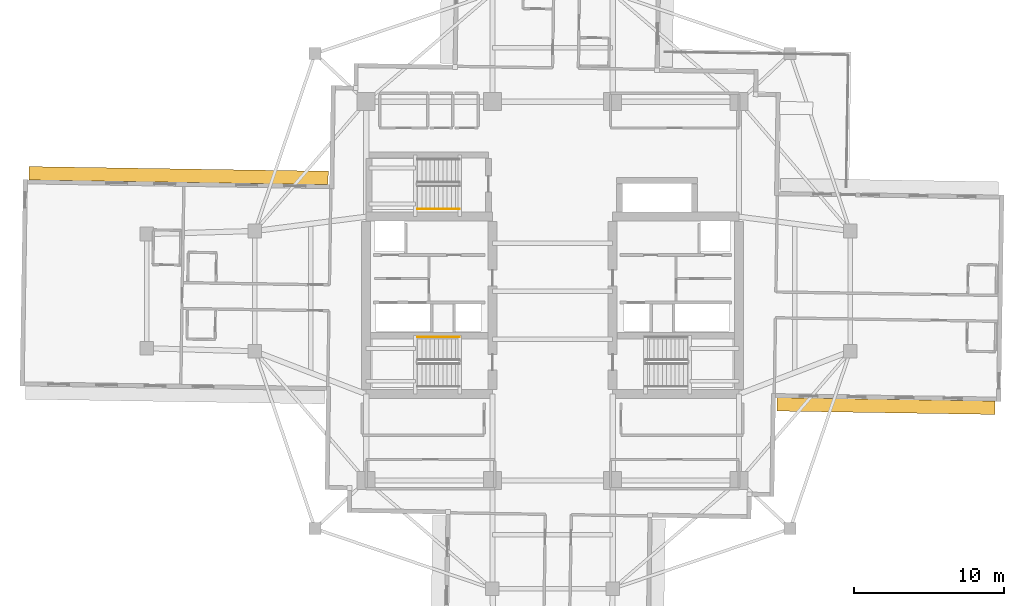
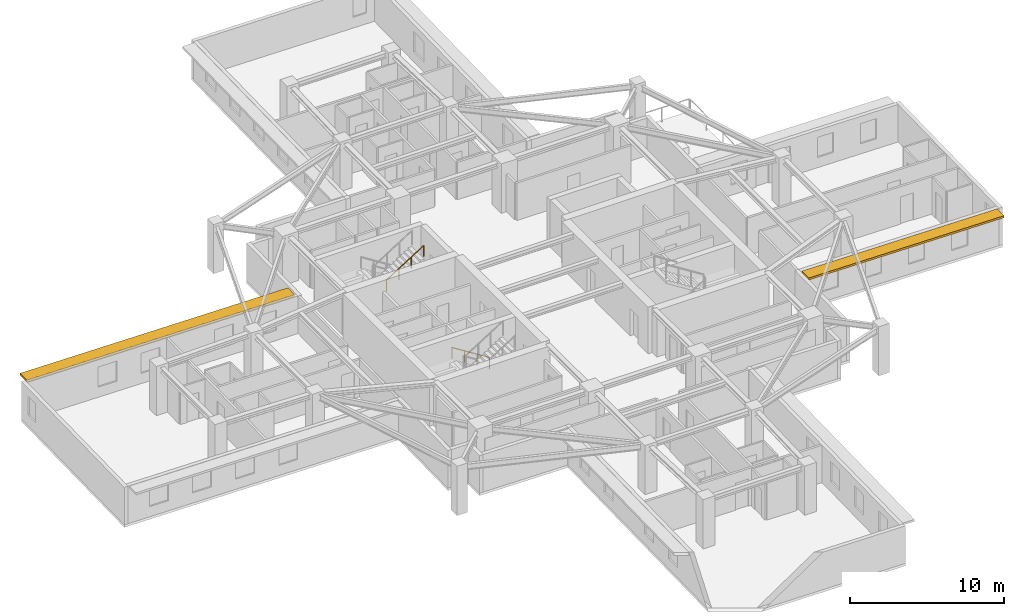
# One storey, part 11 of 13: 2 railings, 2 shading devices.
"""IFC4 building model written with IfcOpenShell, lengths in metres."""

import ifcopenshell
import ifcopenshell.guid

model = None  # the IFC model being written
_history = None  # IfcOwnerHistory: only IFC2X3 demands one
_inside = {}  # id of a spatial element -> (the spatial element, [elements in it])
_under = {}  # id of a project, library or spatial element -> (it, [spatial elements below it])
_declared = {}  # id of a project -> (the project, [libraries it declares])
_typed = {}  # id of a type object -> (the type object, [elements of that type])
_made_of = {}  # id of a material, layer set ... -> (it, [elements and type objects made of it])


def new_model(schema):
    """Start an empty IFC model of exactly this schema.

    Asked for "IFC4X3", IfcOpenShell would pick the latest addendum, in which some entities
    have other attributes; the version numbers below select the first issue.
    IFC2X3 requires an IfcOwnerHistory on every rooted entity: one is made here for all.
    """
    global model, _history
    if schema == "IFC4X3":
        model = ifcopenshell.file(schema_version=(4, 3, 0, 0))
    else:
        model = ifcopenshell.file(schema=schema)
    _inside.clear()
    _under.clear()
    _declared.clear()
    _typed.clear()
    _made_of.clear()
    _history = None
    if model.schema == "IFC2X3":
        org = make("IfcOrganization", Name="unknown")
        user = make(
            "IfcPersonAndOrganization",
            ThePerson=make("IfcPerson", FamilyName="unknown"),
            TheOrganization=org,
        )
        app = make(
            "IfcApplication",
            ApplicationDeveloper=org,
            Version="unknown",
            ApplicationFullName="unknown",
            ApplicationIdentifier="unknown",
        )
        _history = make(
            "IfcOwnerHistory",
            OwningUser=user,
            OwningApplication=app,
            ChangeAction="ADDED",
            CreationDate=0,
        )
    return model


def make(cls, **values):
    """One entity of the class cls with the attributes given. An attribute that is None is left unset."""
    return model.create_entity(
        cls, **{name: value for name, value in values.items() if value is not None}
    )


def rooted(cls, **values):
    """An entity with a GlobalId (a new one), such as an element, a storey or a relation."""
    return make(cls, GlobalId=ifcopenshell.guid.new(), OwnerHistory=_history, **values)


def si_unit(unit_type, name, prefix=None):
    """IfcSIUnit, for example si_unit("LENGTHUNIT", "METRE", prefix="MILLI")."""
    return make("IfcSIUnit", UnitType=unit_type, Prefix=prefix, Name=name)


def assignment(units):
    """IfcUnitAssignment: the units of a project."""
    return None if units is None else make("IfcUnitAssignment", Units=units)


def point(xyz):
    """IfcCartesianPoint."""
    return None if xyz is None else make("IfcCartesianPoint", Coordinates=xyz)


def direction(xyz):
    """IfcDirection."""
    return None if xyz is None else make("IfcDirection", DirectionRatios=xyz)


def frame(location, z_axis=None, x_axis=None):
    """IfcAxis2Placement3D, a coordinate frame: its origin and axes. An axis left out is left unset."""
    return make(
        "IfcAxis2Placement3D",
        Location=point(location),
        Axis=direction(z_axis),
        RefDirection=direction(x_axis),
    )


def frame_2d(location, x_axis=None):
    """IfcAxis2Placement2D, a coordinate frame in the plane: its origin and x axis."""
    return make(
        "IfcAxis2Placement2D", Location=point(location), RefDirection=direction(x_axis)
    )


def origin():
    """The frame at (0, 0, 0) with its axes left unset."""
    return frame((0.0, 0.0, 0.0))


def origin_2d():
    """The frame at (0, 0) in the plane with its x axis left unset."""
    return frame_2d((0.0, 0.0))


def place(relative_to, where):
    """IfcLocalPlacement: puts the frame where relative to a parent placement (None: the world)."""
    return make(
        "IfcLocalPlacement", PlacementRelTo=relative_to, RelativePlacement=where
    )


def context(
    kind, dimensions, precision=None, world=None, true_north=None, identifier=None
):
    """IfcGeometricRepresentationContext, for example the 3D "Model" context."""
    return make(
        "IfcGeometricRepresentationContext",
        ContextIdentifier=identifier,
        ContextType=kind,
        CoordinateSpaceDimension=dimensions,
        Precision=precision,
        WorldCoordinateSystem=world,
        TrueNorth=true_north,
    )


def subcontext(parent, identifier, kind, view, scale=None):
    """IfcGeometricRepresentationSubContext, for example "Body" below "Model"."""
    return make(
        "IfcGeometricRepresentationSubContext",
        ContextIdentifier=identifier,
        ContextType=kind,
        ParentContext=parent,
        TargetScale=scale,
        TargetView=view,
    )


def project(units=None, contexts=None):
    """IfcProject with its units and contexts."""
    return rooted(
        "IfcProject",
        Name="project",
        RepresentationContexts=contexts,
        UnitsInContext=assignment(units),
    )


def spatial(cls, under=None, at=None, **own):
    """A site, building, storey or space (cls), placed at a placement, below another one or the project."""
    s = rooted(cls, ObjectPlacement=at, **own)
    if under is not None:
        _under.setdefault(under.id(), (under, []))[1].append(s)
    return s


def profile(cls, at=None, kind="AREA", **sizes):
    """A parametric profile (cls). Its sizes go by their IFC names, for example OverallWidth=200.0."""
    return make(cls, ProfileType=kind, Position=at, **sizes)


def rectangle(**sizes):
    """IfcRectangleProfileDef."""
    return profile("IfcRectangleProfileDef", **sizes)


def circle(**sizes):
    """IfcCircleProfileDef."""
    return profile("IfcCircleProfileDef", **sizes)


def extrude(swept, where, along, depth):
    """IfcExtrudedAreaSolid: the profile swept, set in the frame where, extruded along a direction by depth."""
    return make(
        "IfcExtrudedAreaSolid",
        SweptArea=swept,
        Position=where,
        ExtrudedDirection=direction(along),
        Depth=depth,
    )


def shape(context_of_items, identifier, shape_type, items):
    """IfcShapeRepresentation: the items that make up one representation, for example the "Body"."""
    return make(
        "IfcShapeRepresentation",
        ContextOfItems=context_of_items,
        RepresentationIdentifier=identifier,
        RepresentationType=shape_type,
        Items=items,
    )


def material(Name=None, Category=None):
    """IfcMaterial."""
    return make("IfcMaterial", Name=Name, Category=Category)


def layer(
    of_material, thickness, ventilated=None, Name=None, Category=None, Priority=None
):
    """IfcMaterialLayer: one layer of a wall or slab, of a material (None: an air gap)."""
    return make(
        "IfcMaterialLayer",
        Material=of_material,
        LayerThickness=thickness,
        IsVentilated=ventilated,
        Name=Name,
        Category=Category,
        Priority=Priority,
    )


def layer_set(layers, Name=None):
    """IfcMaterialLayerSet."""
    return make("IfcMaterialLayerSet", MaterialLayers=layers, LayerSetName=Name)


def made_of(thing, what):
    """Note that an element or type object is made of a material, layer set ...; save() writes the relation."""
    if what is not None:
        _made_of.setdefault(what.id(), (what, []))[1].append(thing)
    return thing


def type_object(cls, material=None, **own):
    """A type object (cls), such as IfcWallType, which elements share."""
    return made_of(rooted(cls, **own), material)


def element(
    cls,
    number,
    at=None,
    inside=None,
    cuts=None,
    type_object=None,
    material=None,
    context=None,
    identifier="Body",
    shape_type=None,
    held_by="IfcProductDefinitionShape",
    body=None,
    shapes=None,
    **own,
):
    """One element of the class cls, such as IfcWall. Its Tag is "e" and its number.

    at: its placement. inside: the storey or other place that contains it. cuts: it is an
    opening in that element (IfcRelVoidsElement). A single representation is given by context,
    identifier, shape_type and body (its items); several are given by shapes. held_by: the class
    of the entity that holds the representations. save() writes the other relations.
    """
    e = rooted(cls, Tag="e%d" % number, ObjectPlacement=at, **own)
    if body is not None:
        shapes = [shape(context, identifier, shape_type, body)]
    if shapes is not None:
        e.Representation = make(held_by, Representations=shapes)
    if inside is not None:
        _inside.setdefault(inside.id(), (inside, []))[1].append(e)
    if cuts is not None:
        rooted(
            "IfcRelVoidsElement", RelatingBuildingElement=cuts, RelatedOpeningElement=e
        )
    if type_object is not None:
        _typed.setdefault(type_object.id(), (type_object, []))[1].append(e)
    return made_of(e, material)


def aggregate(whole, parts):
    """IfcRelAggregates: a whole, such as a stair, and the parts it consists of."""
    return rooted("IfcRelAggregates", RelatingObject=whole, RelatedObjects=parts)


def save(model, path):
    """Write the relations noted so far, then the file.

    IfcRelAggregates (storeys below a building ...), IfcRelContainedInSpatialStructure (elements
    in a storey), IfcRelDefinesByType, IfcRelAssociatesMaterial and IfcRelDeclares: one each for
    every whole, place, type object, material and project.
    """
    for whole, parts in _under.values():
        aggregate(whole, parts)
    for where, things in _inside.values():
        rooted(
            "IfcRelContainedInSpatialStructure",
            RelatedElements=things,
            RelatingStructure=where,
        )
    for kind, things in _typed.values():
        rooted("IfcRelDefinesByType", RelatedObjects=things, RelatingType=kind)
    for what, things in _made_of.values():
        rooted("IfcRelAssociatesMaterial", RelatedObjects=things, RelatingMaterial=what)
    for by, libraries in _declared.values():
        rooted("IfcRelDeclares", RelatingContext=by, RelatedDefinitions=libraries)
    model.write(path)


model = new_model("IFC4")

# Units and contexts
model_context = context("Model", 3, precision=1e-05, world=origin(), true_north=direction((0.0, 1.0)))
body_context = subcontext(model_context, "Body", "Model", "MODEL_VIEW")
ifc_project = project(units=[si_unit("LENGTHUNIT", "METRE"), si_unit("AREAUNIT", "SQUARE_METRE"), si_unit("VOLUMEUNIT", "CUBIC_METRE"), si_unit("PLANEANGLEUNIT", "RADIAN"), si_unit("MASSUNIT", "GRAM", prefix="KILO")], contexts=[model_context])

# Site, building, storey
site_placement = place(None, origin())
site = spatial("IfcSite", under=ifc_project, at=site_placement, CompositionType="ELEMENT")
building_placement = place(site_placement, origin())
building = spatial("IfcBuilding", under=site, at=building_placement, Name="Qingluan Cross Belvedere", CompositionType="ELEMENT")
storey_placement = place(building_placement, frame((0.0, 0.0, 180.0)))
storey = spatial("IfcBuildingStorey", under=building, at=storey_placement, Name="L45", CompositionType="ELEMENT", Elevation=180.0)

# Shading devices
ifc_material_1 = material(Name="Precast concrete C45", Category="concrete")
ifc_layer = layer(ifc_material_1, 0.159912109375, Name="ConcreteSunshadeBand_900")
ifc_layer_set = layer_set([ifc_layer], Name="Precast concrete C45")
shading_device_type = type_object("IfcShadingDeviceType", Name="ConcreteSunshadeBand_900", PredefinedType="USERDEFINED", material=ifc_layer_set)
shading_device_1_placement = place(storey_placement, frame((22.172607421875, -7.63916015625, 2.7900390625), z_axis=(0.0, 0.0, 1.0), x_axis=(0.999876630106, -0.015707468526, 0.0)))
element("IfcShadingDevice", 1, at=shading_device_1_placement, inside=storey, type_object=shading_device_type, Name="Concrete SUNSHADE L45-EA", ObjectType="SUNSHADE", PredefinedType="USERDEFINED", context=body_context, shape_type="SweptSolid", body=[
    extrude(rectangle(XDim=14.5, YDim=0.89990234375, at=origin_2d()), origin(), (0.0, 0.0, 1.0), 0.159912109375),
])
shading_device_2_placement = place(storey_placement, frame((-24.872314453125, 7.681640625, 2.7900390625), z_axis=(0.0, 0.0, 1.0), x_axis=(-0.999876567432, 0.015711457647, 0.0)))
element("IfcShadingDevice", 2, at=shading_device_2_placement, inside=storey, type_object=shading_device_type, Name="Concrete SUNSHADE L45-WA", ObjectType="SUNSHADE", PredefinedType="USERDEFINED", context=body_context, shape_type="SweptSolid", body=[
    extrude(rectangle(XDim=19.89990234375, YDim=0.89990234375, at=origin_2d()), origin(), (0.0, 0.0, 1.0), 0.159912109375),
])

# Railings
ifc_material_2 = material(Name="Brushed stainless steel tubular handrail", Category="steel")
railing_type = type_object("IfcRailingType", Name="StairPitchHandrail_900", PredefinedType="HANDRAIL", material=ifc_material_2)
railing_1_placement = place(storey_placement, frame((-6.179931640625, -3.050048828125, 0.17724609375)))
element("IfcRailing", 3, at=railing_1_placement, inside=storey, type_object=railing_type, Name="L45 ST1 stair handrail 1", PredefinedType="HANDRAIL", context=body_context, shape_type="SweptSolid", body=[
    extrude(circle(Radius=0.02392578125, at=origin_2d()), frame((0.0, 0.0, 0.8759765625), z_axis=(-0.844908973607, 0.0, 0.534910110503), x_axis=(0.0, -1.0, 0.0)), (0.0, 0.0, 1.0), 3.31396484375),
    extrude(circle(Radius=0.02099609375, at=origin_2d()), origin(), (0.0, 0.0, 1.0), 0.851806640625),
    extrude(circle(Radius=0.02099609375, at=origin_2d()), frame((-0.933349609375, 0.0, 0.5908203125)), (0.0, 0.0, 1.0), 0.851806640625),
    extrude(circle(Radius=0.02099609375, at=origin_2d()), frame((-1.86669921875, 0.0, 1.181884765625)), (0.0, 0.0, 1.0), 0.851806640625),
    extrude(circle(Radius=0.02099609375, at=origin_2d()), frame((-2.800048828125, 0.0, 1.772705078125)), (0.0, 0.0, 1.0), 0.851806640625),
])
railing_2_placement = place(storey_placement, frame((-8.97998046875, 5.469970703125, 2.127197265625)))
element("IfcRailing", 4, at=railing_2_placement, inside=storey, type_object=railing_type, Name="L45 ST3 stair handrail 2", PredefinedType="HANDRAIL", context=body_context, shape_type="SweptSolid", body=[
    extrude(circle(Radius=0.02392578125, at=origin_2d()), frame((0.0, 0.0, 0.8759765625), z_axis=(0.844908973607, 0.0, 0.534910110503), x_axis=(0.0, 1.0, 0.0)), (0.0, 0.0, 1.0), 3.31396484375),
    extrude(circle(Radius=0.02099609375, at=origin_2d()), origin(), (0.0, 0.0, 1.0), 0.851806640625),
    extrude(circle(Radius=0.02099609375, at=origin_2d()), frame((0.933349609375, 0.0, 0.5908203125)), (0.0, 0.0, 1.0), 0.851806640625),
    extrude(circle(Radius=0.02099609375, at=origin_2d()), frame((1.86669921875, 0.0, 1.181884765625)), (0.0, 0.0, 1.0), 0.851806640625),
    extrude(circle(Radius=0.02099609375, at=origin_2d()), frame((2.800048828125, 0.0, 1.772705078125)), (0.0, 0.0, 1.0), 0.851806640625),
])

save(model, "model.ifc")
